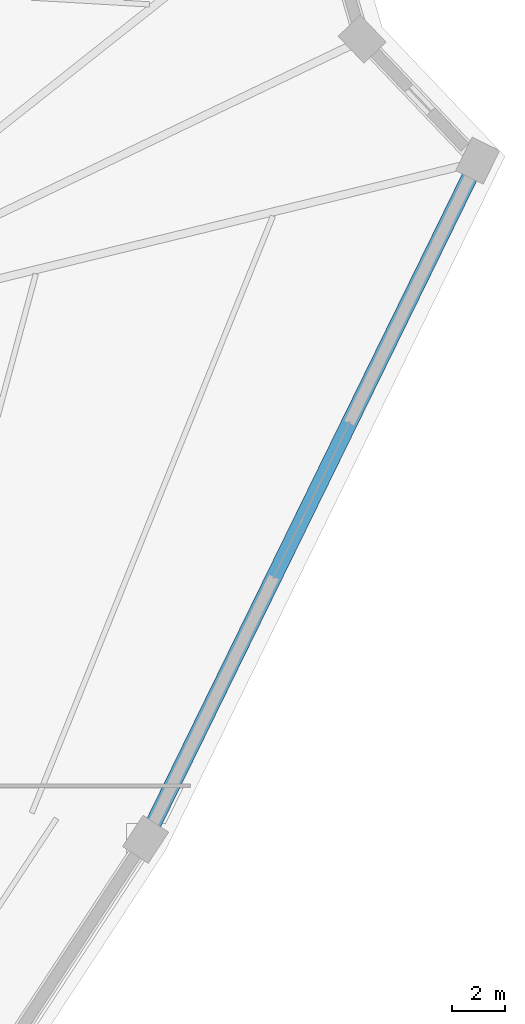
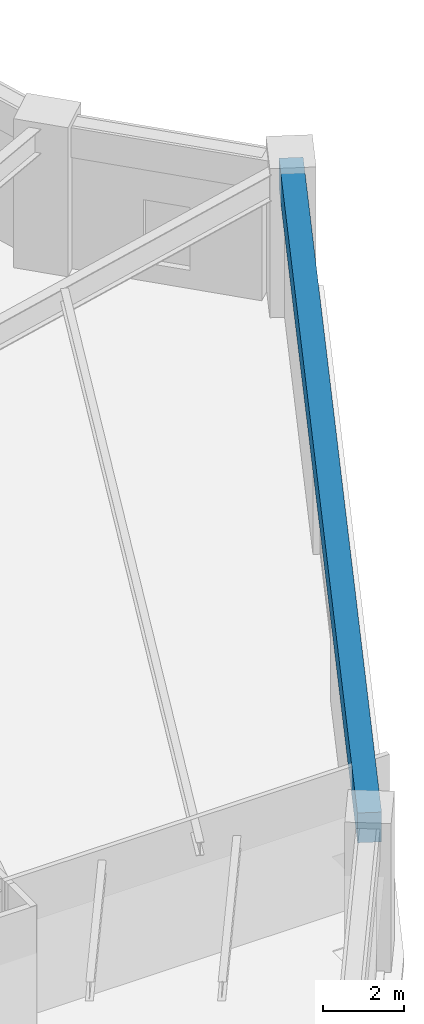
# One storey, part 15 of 30: 1 beam.
"""IFC4 building model written with IfcOpenShell, lengths in metres."""

from ifc_helpers import new_model, si_unit, direction, frame, origin, origin_2d, place, context, subcontext, project, spatial, rectangle, extrude, source, transform, mapped, material, material_profile, profile_set, type_object, element, save


model = new_model("IFC4")

# Units and contexts
model_context = context("Model", 3, precision=1e-05, world=origin(), true_north=direction((0.0, 1.0)))
body_context = subcontext(model_context, "Body", "Model", "MODEL_VIEW")
ifc_project = project(units=[si_unit("LENGTHUNIT", "METRE"), si_unit("AREAUNIT", "SQUARE_METRE"), si_unit("VOLUMEUNIT", "CUBIC_METRE"), si_unit("PLANEANGLEUNIT", "RADIAN"), si_unit("MASSUNIT", "GRAM", prefix="KILO")], contexts=[model_context])

# Site, building, storey
site_placement = place(None, origin())
site = spatial("IfcSite", under=ifc_project, at=site_placement, CompositionType="ELEMENT")
building_placement = place(site_placement, origin())
building = spatial("IfcBuilding", under=site, at=building_placement, Name="Liaohun Quay Tower", CompositionType="ELEMENT")
storey_placement = place(building_placement, frame((0.0, 0.0, 97.5)))
storey = spatial("IfcBuildingStorey", under=building, at=storey_placement, Name="L25", CompositionType="ELEMENT", Elevation=97.5)

# Beam
ifc_material = material(Name="Precast concrete C55", Category="concrete")
ifc_material_profile = material_profile(ifc_material, rectangle(XDim=0.60009765625, YDim=0.89990234375, at=origin_2d()), Name="RC600x900")
ifc_profile_set = profile_set([ifc_material_profile], Name="Precast concrete C55")
beam_type = type_object("IfcBeamType", Name="BM-SPD-Z2", PredefinedType="SPANDREL", material=ifc_profile_set)
shared_shape = source(origin(), body_context, "Body", "SweptSolid", [
    extrude(rectangle(XDim=0.60009765625, YDim=0.89990234375, at=origin_2d()), origin(), (0.0, 0.0, 1.0), 28.308837890625),
])
beam_placement = place(storey_placement, frame((97.202880859375, 68.426025390625, 3.8701171875), z_axis=(-0.439438424154, -0.898272715481, 0.0), x_axis=(0.898272715481, -0.439438424154, 0.0)))
element("IfcBeam", 1, at=beam_placement, inside=storey, type_object=beam_type, Name="L25 Precast Spandrel Beam PC09-PC10", PredefinedType="SPANDREL", context=body_context, shape_type="MappedRepresentation", body=[
    mapped(shared_shape, transform((0.0, 0.0, 0.0), x_axis=(1.0, 0.0, 0.0), y_axis=(0.0, 1.0, 0.0), z_axis=(0.0, 0.0, 1.0), scale=1.0)),
])

save(model, "model.ifc")
